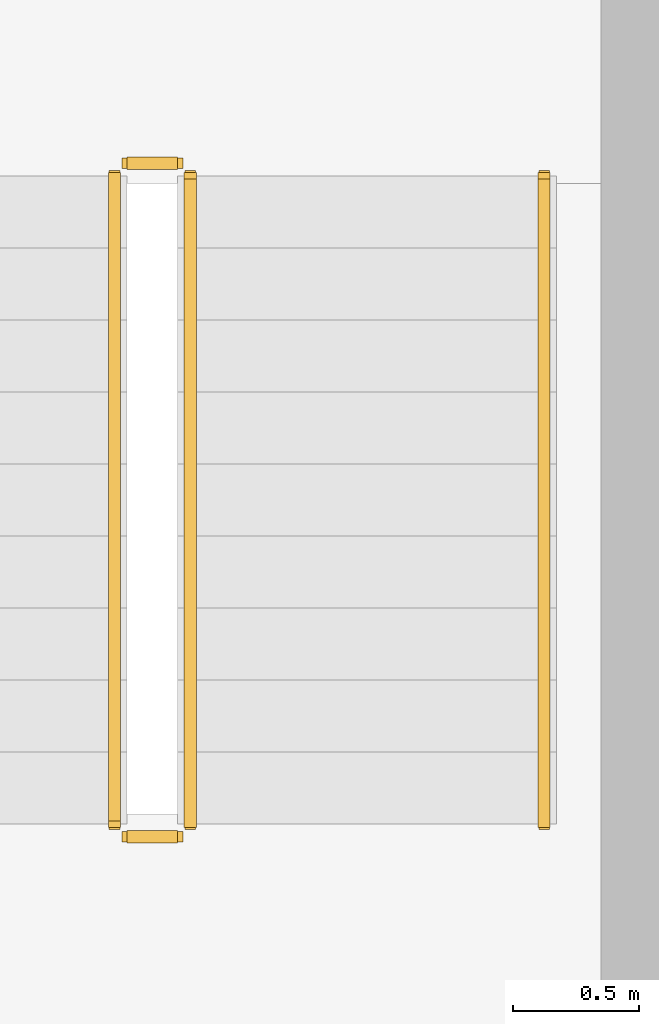
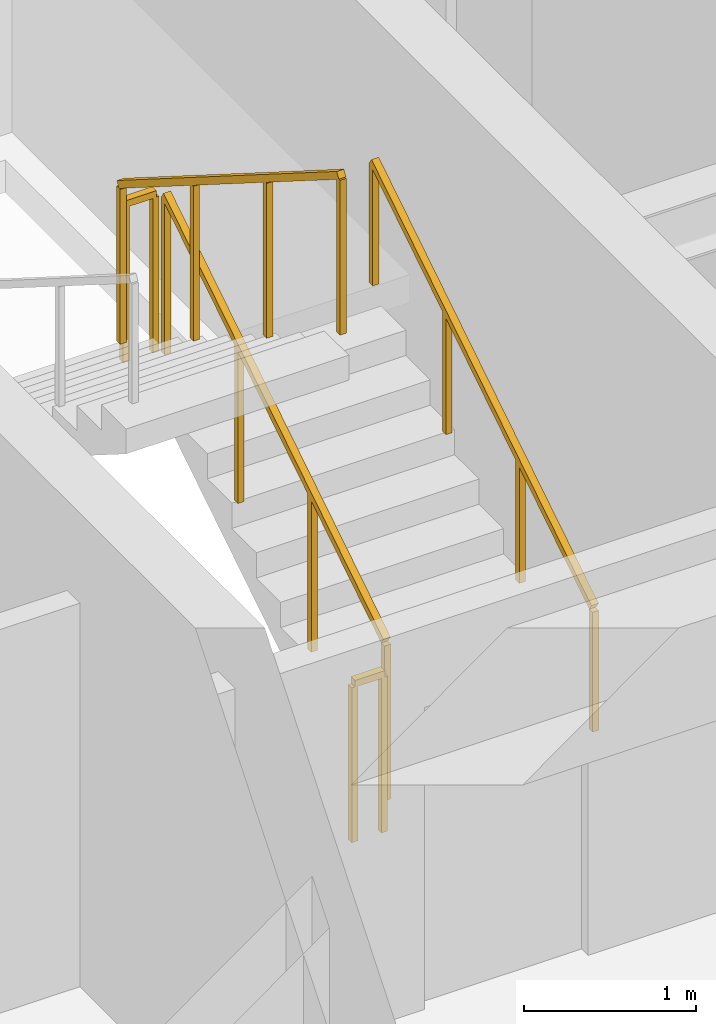
# One storey, part 23 of 23: 5 railings.
"""IFC4 building model written with IfcOpenShell, lengths in metres."""

import ifcopenshell
import ifcopenshell.guid

model = None  # the IFC model being written
_history = None  # IfcOwnerHistory: only IFC2X3 demands one
_inside = {}  # id of a spatial element -> (the spatial element, [elements in it])
_under = {}  # id of a project, library or spatial element -> (it, [spatial elements below it])
_declared = {}  # id of a project -> (the project, [libraries it declares])
_typed = {}  # id of a type object -> (the type object, [elements of that type])
_made_of = {}  # id of a material, layer set ... -> (it, [elements and type objects made of it])


def new_model(schema):
    """Start an empty IFC model of exactly this schema.

    Asked for "IFC4X3", IfcOpenShell would pick the latest addendum, in which some entities
    have other attributes; the version numbers below select the first issue.
    IFC2X3 requires an IfcOwnerHistory on every rooted entity: one is made here for all.
    """
    global model, _history
    if schema == "IFC4X3":
        model = ifcopenshell.file(schema_version=(4, 3, 0, 0))
    else:
        model = ifcopenshell.file(schema=schema)
    _inside.clear()
    _under.clear()
    _declared.clear()
    _typed.clear()
    _made_of.clear()
    _history = None
    if model.schema == "IFC2X3":
        org = make("IfcOrganization", Name="unknown")
        user = make(
            "IfcPersonAndOrganization",
            ThePerson=make("IfcPerson", FamilyName="unknown"),
            TheOrganization=org,
        )
        app = make(
            "IfcApplication",
            ApplicationDeveloper=org,
            Version="unknown",
            ApplicationFullName="unknown",
            ApplicationIdentifier="unknown",
        )
        _history = make(
            "IfcOwnerHistory",
            OwningUser=user,
            OwningApplication=app,
            ChangeAction="ADDED",
            CreationDate=0,
        )
    return model


def make(cls, **values):
    """One entity of the class cls with the attributes given. An attribute that is None is left unset."""
    return model.create_entity(
        cls, **{name: value for name, value in values.items() if value is not None}
    )


def rooted(cls, **values):
    """An entity with a GlobalId (a new one), such as an element, a storey or a relation."""
    return make(cls, GlobalId=ifcopenshell.guid.new(), OwnerHistory=_history, **values)


def si_unit(unit_type, name, prefix=None):
    """IfcSIUnit, for example si_unit("LENGTHUNIT", "METRE", prefix="MILLI")."""
    return make("IfcSIUnit", UnitType=unit_type, Prefix=prefix, Name=name)


def assignment(units):
    """IfcUnitAssignment: the units of a project."""
    return None if units is None else make("IfcUnitAssignment", Units=units)


def point(xyz):
    """IfcCartesianPoint."""
    return None if xyz is None else make("IfcCartesianPoint", Coordinates=xyz)


def direction(xyz):
    """IfcDirection."""
    return None if xyz is None else make("IfcDirection", DirectionRatios=xyz)


def frame(location, z_axis=None, x_axis=None):
    """IfcAxis2Placement3D, a coordinate frame: its origin and axes. An axis left out is left unset."""
    return make(
        "IfcAxis2Placement3D",
        Location=point(location),
        Axis=direction(z_axis),
        RefDirection=direction(x_axis),
    )


def frame_2d(location, x_axis=None):
    """IfcAxis2Placement2D, a coordinate frame in the plane: its origin and x axis."""
    return make(
        "IfcAxis2Placement2D", Location=point(location), RefDirection=direction(x_axis)
    )


def origin():
    """The frame at (0, 0, 0) with its axes left unset."""
    return frame((0.0, 0.0, 0.0))


def origin_2d():
    """The frame at (0, 0) in the plane with its x axis left unset."""
    return frame_2d((0.0, 0.0))


def place(relative_to, where):
    """IfcLocalPlacement: puts the frame where relative to a parent placement (None: the world)."""
    return make(
        "IfcLocalPlacement", PlacementRelTo=relative_to, RelativePlacement=where
    )


def context(
    kind, dimensions, precision=None, world=None, true_north=None, identifier=None
):
    """IfcGeometricRepresentationContext, for example the 3D "Model" context."""
    return make(
        "IfcGeometricRepresentationContext",
        ContextIdentifier=identifier,
        ContextType=kind,
        CoordinateSpaceDimension=dimensions,
        Precision=precision,
        WorldCoordinateSystem=world,
        TrueNorth=true_north,
    )


def subcontext(parent, identifier, kind, view, scale=None):
    """IfcGeometricRepresentationSubContext, for example "Body" below "Model"."""
    return make(
        "IfcGeometricRepresentationSubContext",
        ContextIdentifier=identifier,
        ContextType=kind,
        ParentContext=parent,
        TargetScale=scale,
        TargetView=view,
    )


def project(units=None, contexts=None):
    """IfcProject with its units and contexts."""
    return rooted(
        "IfcProject",
        Name="project",
        RepresentationContexts=contexts,
        UnitsInContext=assignment(units),
    )


def spatial(cls, under=None, at=None, **own):
    """A site, building, storey or space (cls), placed at a placement, below another one or the project."""
    s = rooted(cls, ObjectPlacement=at, **own)
    if under is not None:
        _under.setdefault(under.id(), (under, []))[1].append(s)
    return s


def profile(cls, at=None, kind="AREA", **sizes):
    """A parametric profile (cls). Its sizes go by their IFC names, for example OverallWidth=200.0."""
    return make(cls, ProfileType=kind, Position=at, **sizes)


def rectangle(**sizes):
    """IfcRectangleProfileDef."""
    return profile("IfcRectangleProfileDef", **sizes)


def extrude(swept, where, along, depth):
    """IfcExtrudedAreaSolid: the profile swept, set in the frame where, extruded along a direction by depth."""
    return make(
        "IfcExtrudedAreaSolid",
        SweptArea=swept,
        Position=where,
        ExtrudedDirection=direction(along),
        Depth=depth,
    )


def shape(context_of_items, identifier, shape_type, items):
    """IfcShapeRepresentation: the items that make up one representation, for example the "Body"."""
    return make(
        "IfcShapeRepresentation",
        ContextOfItems=context_of_items,
        RepresentationIdentifier=identifier,
        RepresentationType=shape_type,
        Items=items,
    )


def material(Name=None, Category=None):
    """IfcMaterial."""
    return make("IfcMaterial", Name=Name, Category=Category)


def made_of(thing, what):
    """Note that an element or type object is made of a material, layer set ...; save() writes the relation."""
    if what is not None:
        _made_of.setdefault(what.id(), (what, []))[1].append(thing)
    return thing


def type_object(cls, material=None, **own):
    """A type object (cls), such as IfcWallType, which elements share."""
    return made_of(rooted(cls, **own), material)


def element(
    cls,
    number,
    at=None,
    inside=None,
    cuts=None,
    type_object=None,
    material=None,
    context=None,
    identifier="Body",
    shape_type=None,
    held_by="IfcProductDefinitionShape",
    body=None,
    shapes=None,
    **own,
):
    """One element of the class cls, such as IfcWall. Its Tag is "e" and its number.

    at: its placement. inside: the storey or other place that contains it. cuts: it is an
    opening in that element (IfcRelVoidsElement). A single representation is given by context,
    identifier, shape_type and body (its items); several are given by shapes. held_by: the class
    of the entity that holds the representations. save() writes the other relations.
    """
    e = rooted(cls, Tag="e%d" % number, ObjectPlacement=at, **own)
    if body is not None:
        shapes = [shape(context, identifier, shape_type, body)]
    if shapes is not None:
        e.Representation = make(held_by, Representations=shapes)
    if inside is not None:
        _inside.setdefault(inside.id(), (inside, []))[1].append(e)
    if cuts is not None:
        rooted(
            "IfcRelVoidsElement", RelatingBuildingElement=cuts, RelatedOpeningElement=e
        )
    if type_object is not None:
        _typed.setdefault(type_object.id(), (type_object, []))[1].append(e)
    return made_of(e, material)


def aggregate(whole, parts):
    """IfcRelAggregates: a whole, such as a stair, and the parts it consists of."""
    return rooted("IfcRelAggregates", RelatingObject=whole, RelatedObjects=parts)


def save(model, path):
    """Write the relations noted so far, then the file.

    IfcRelAggregates (storeys below a building ...), IfcRelContainedInSpatialStructure (elements
    in a storey), IfcRelDefinesByType, IfcRelAssociatesMaterial and IfcRelDeclares: one each for
    every whole, place, type object, material and project.
    """
    for whole, parts in _under.values():
        aggregate(whole, parts)
    for where, things in _inside.values():
        rooted(
            "IfcRelContainedInSpatialStructure",
            RelatedElements=things,
            RelatingStructure=where,
        )
    for kind, things in _typed.values():
        rooted("IfcRelDefinesByType", RelatedObjects=things, RelatingType=kind)
    for what, things in _made_of.values():
        rooted("IfcRelAssociatesMaterial", RelatedObjects=things, RelatingMaterial=what)
    for by, libraries in _declared.values():
        rooted("IfcRelDeclares", RelatingContext=by, RelatedDefinitions=libraries)
    model.write(path)


model = new_model("IFC4")

# Units and contexts
model_context = context("Model", 3, precision=1e-05, world=origin(), true_north=direction((0.0, 1.0)))
body_context = subcontext(model_context, "Body", "Model", "MODEL_VIEW")
ifc_project = project(units=[si_unit("LENGTHUNIT", "METRE"), si_unit("AREAUNIT", "SQUARE_METRE"), si_unit("VOLUMEUNIT", "CUBIC_METRE"), si_unit("PLANEANGLEUNIT", "RADIAN"), si_unit("MASSUNIT", "GRAM", prefix="KILO")], contexts=[model_context])

# Site, building, storey
site_placement = place(None, origin())
site = spatial("IfcSite", under=ifc_project, at=site_placement, CompositionType="ELEMENT")
building_placement = place(site_placement, origin())
building = spatial("IfcBuilding", under=site, at=building_placement, Name="Sarneth Arch Tower", CompositionType="ELEMENT")
storey_placement = place(building_placement, frame((0.0, 0.0, 273.0)))
storey = spatial("IfcBuildingStorey", under=building, at=storey_placement, Name="L70", CompositionType="ELEMENT", Elevation=273.0)

# Railings
ifc_material_1 = material(Name="Brushed Stainless Steel 304 tubular handrail", Category="steel")
railing_type_1 = type_object("IfcRailingType", Name="RAIL-HANDRAIL-900", PredefinedType="HANDRAIL", material=ifc_material_1)
railing_1_placement = place(storey_placement, frame((58.60009765625, 41.449951171875, 0.179931640625)))
element("IfcRailing", 1, at=railing_1_placement, inside=storey, type_object=railing_type_1, Name="L70 ST-2 stair handrail 1", PredefinedType="HANDRAIL", context=body_context, shape_type="SweptSolid", body=[
    extrude(rectangle(XDim=0.048095703125, YDim=0.048095703125, at=origin_2d()), frame((0.0, 0.0, 0.8759765625), z_axis=(0.0, 0.845465955043, 0.534029323973), x_axis=(-1.0, 0.0, 0.0)), (0.0, 0.0, 1.0), 3.03369140625),
    extrude(rectangle(XDim=0.0419921875, YDim=0.0419921875, at=origin_2d()), origin(), (0.0, 0.0, 1.0), 0.851806640625),
    extrude(rectangle(XDim=0.0419921875, YDim=0.0419921875, at=origin_2d()), frame((0.0, 0.85498046875, 0.5400390625)), (0.0, 0.0, 1.0), 0.851806640625),
    extrude(rectangle(XDim=0.0419921875, YDim=0.0419921875, at=origin_2d()), frame((0.0, 1.7099609375, 1.080078125)), (0.0, 0.0, 1.0), 0.851806640625),
    extrude(rectangle(XDim=0.0419921875, YDim=0.0419921875, at=origin_2d()), frame((0.0, 2.56494140625, 1.6201171875)), (0.0, 0.0, 1.0), 0.851806640625),
])
ifc_material_2 = material(Name="Painted Steel S275 stair well guard", Category="steel")
railing_type_2 = type_object("IfcRailingType", Name="RAIL-STAIR-GUARD", PredefinedType="GUARDRAIL", material=ifc_material_2)
railing_2_placement = place(storey_placement, frame((57.199951171875, 41.449951171875, 0.179931640625)))
element("IfcRailing", 2, at=railing_2_placement, inside=storey, type_object=railing_type_2, Name="L70 ST-2 stair guard 1", PredefinedType="GUARDRAIL", context=body_context, shape_type="SweptSolid", body=[
    extrude(rectangle(XDim=0.048095703125, YDim=0.048095703125, at=origin_2d()), frame((0.0, 0.0, 1.1259765625), z_axis=(0.0, 0.845465955043, 0.534029323973), x_axis=(-1.0, 0.0, 0.0)), (0.0, 0.0, 1.0), 3.03369140625),
    extrude(rectangle(XDim=0.0419921875, YDim=0.0419921875, at=origin_2d()), origin(), (0.0, 0.0, 1.0), 1.101806640625),
    extrude(rectangle(XDim=0.0419921875, YDim=0.0419921875, at=origin_2d()), frame((0.0, 0.85498046875, 0.5400390625)), (0.0, 0.0, 1.0), 1.101806640625),
    extrude(rectangle(XDim=0.0419921875, YDim=0.0419921875, at=origin_2d()), frame((0.0, 1.7099609375, 1.080078125)), (0.0, 0.0, 1.0), 1.101806640625),
    extrude(rectangle(XDim=0.0419921875, YDim=0.0419921875, at=origin_2d()), frame((0.0, 2.56494140625, 1.6201171875)), (0.0, 0.0, 1.0), 1.101806640625),
])
railing_3_placement = place(storey_placement, frame((57.14990234375, 44.06494140625, 1.800048828125)))
element("IfcRailing", 3, at=railing_3_placement, inside=storey, type_object=railing_type_2, Name="L70 ST-2 stair guard 2", PredefinedType="GUARDRAIL", context=body_context, shape_type="SweptSolid", body=[
    extrude(rectangle(XDim=0.048095703125, YDim=0.048095703125, at=origin_2d()), frame((0.0, 0.0, 1.1259765625), z_axis=(-1.0, 0.0, 0.0), x_axis=(0.0, -1.0, 0.0)), (0.0, 0.0, 1.0), 0.199951171875),
    extrude(rectangle(XDim=0.0419921875, YDim=0.0419921875, at=origin_2d()), origin(), (0.0, 0.0, 1.0), 1.101806640625),
    extrude(rectangle(XDim=0.0419921875, YDim=0.0419921875, at=origin_2d()), frame((-0.199951171875, 0.0, 0.0)), (0.0, 0.0, 1.0), 1.101806640625),
])
railing_4_placement = place(storey_placement, frame((56.89990234375, 44.014892578125, 1.97998046875)))
element("IfcRailing", 4, at=railing_4_placement, inside=storey, type_object=railing_type_2, Name="L70 ST-2 stair guard 3", PredefinedType="GUARDRAIL", context=body_context, shape_type="SweptSolid", body=[
    extrude(rectangle(XDim=0.048095703125, YDim=0.048095703125, at=origin_2d()), frame((0.0, 0.0, 1.1259765625), z_axis=(0.0, -0.845465955043, 0.534029323973), x_axis=(1.0, 0.0, 0.0)), (0.0, 0.0, 1.0), 3.03369140625),
    extrude(rectangle(XDim=0.0419921875, YDim=0.0419921875, at=origin_2d()), origin(), (0.0, 0.0, 1.0), 1.101806640625),
    extrude(rectangle(XDim=0.0419921875, YDim=0.0419921875, at=origin_2d()), frame((0.0, -0.85498046875, 0.5400390625)), (0.0, 0.0, 1.0), 1.101806640625),
    extrude(rectangle(XDim=0.0419921875, YDim=0.0419921875, at=origin_2d()), frame((0.0, -1.7099609375, 1.080078125)), (0.0, 0.0, 1.0), 1.101806640625),
    extrude(rectangle(XDim=0.0419921875, YDim=0.0419921875, at=origin_2d()), frame((0.0, -2.56494140625, 1.6201171875)), (0.0, 0.0, 1.0), 1.101806640625),
])
railing_5_placement = place(storey_placement, frame((57.14990234375, 41.39990234375, 0.0)))
element("IfcRailing", 5, at=railing_5_placement, inside=storey, type_object=railing_type_2, Name="L70 ST-2 stair guard 4", PredefinedType="GUARDRAIL", context=body_context, shape_type="SweptSolid", body=[
    extrude(rectangle(XDim=0.048095703125, YDim=0.048095703125, at=origin_2d()), frame((0.0, 0.0, 1.1259765625), z_axis=(-1.0, 0.0, 0.0), x_axis=(0.0, -1.0, 0.0)), (0.0, 0.0, 1.0), 0.199951171875),
    extrude(rectangle(XDim=0.0419921875, YDim=0.0419921875, at=origin_2d()), origin(), (0.0, 0.0, 1.0), 1.101806640625),
    extrude(rectangle(XDim=0.0419921875, YDim=0.0419921875, at=origin_2d()), frame((-0.199951171875, 0.0, 0.0)), (0.0, 0.0, 1.0), 1.101806640625),
])

save(model, "model.ifc")
